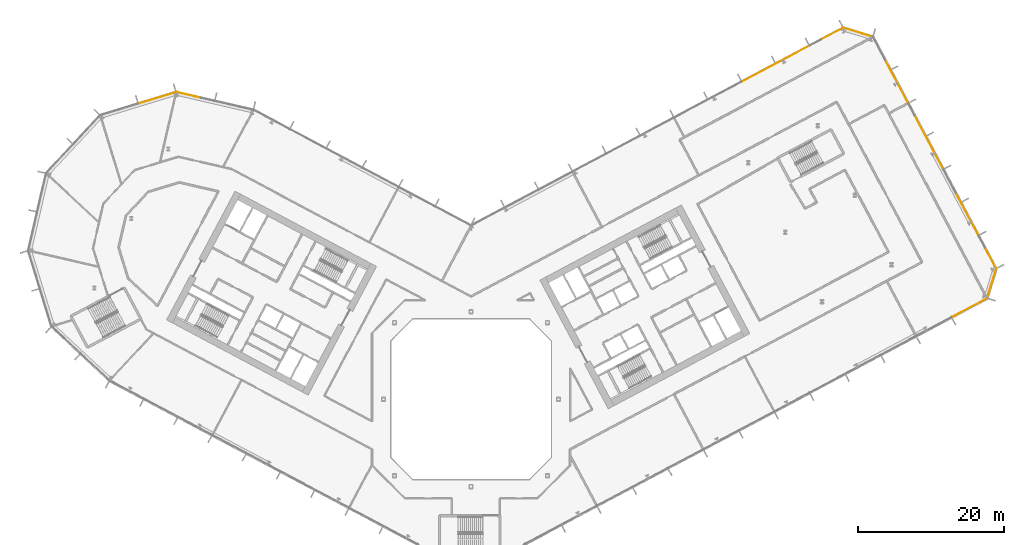
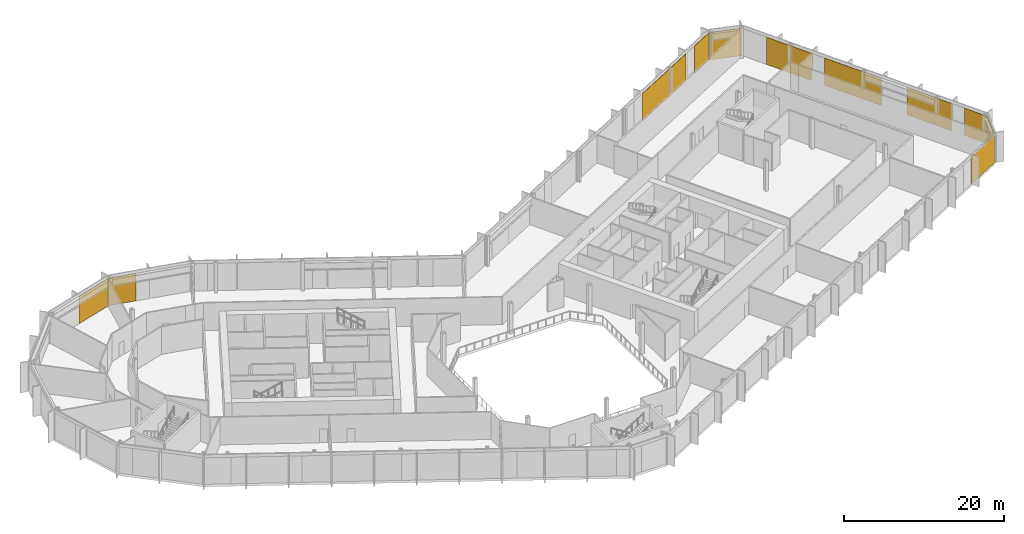
# One storey, part 30 of 30: 11 coverings, 7 elements without a shape of their own.
"""IFC4 building model written with IfcOpenShell, lengths in metres."""

from ifc_helpers import new_model, si_unit, direction, frame, origin, origin_2d, place, context, subcontext, project, spatial, rectangle, extrude, material, layer, layer_set, type_object, element, aggregate, save


model = new_model("IFC4")

# Units and contexts
model_context = context("Model", 3, precision=1e-05, world=origin(), true_north=direction((0.0, 1.0)))
body_context = subcontext(model_context, "Body", "Model", "MODEL_VIEW")
ifc_project = project(units=[si_unit("LENGTHUNIT", "METRE"), si_unit("AREAUNIT", "SQUARE_METRE"), si_unit("VOLUMEUNIT", "CUBIC_METRE"), si_unit("PLANEANGLEUNIT", "RADIAN"), si_unit("MASSUNIT", "GRAM", prefix="KILO")], contexts=[model_context])

# Site, building, storey
site_placement = place(None, origin())
site = spatial("IfcSite", under=ifc_project, at=site_placement, CompositionType="ELEMENT")
building_placement = place(site_placement, origin())
building = spatial("IfcBuilding", under=site, at=building_placement, Name="Cormorant Relay Tower", CompositionType="ELEMENT")
storey_placement = place(building_placement, frame((0.0, 0.0, 89.199951171875)))
storey = spatial("IfcBuildingStorey", under=building, at=storey_placement, Name="L17", CompositionType="ELEMENT", Elevation=89.199951171875)

# Curtain wall, covering
ifc_material_1 = material(Name="Aluminium 6063-T6 anodised bronze", Category="aluminium")
ifc_layer_1 = layer(ifc_material_1, 0.199951171875)
ifc_layer_set_1 = layer_set([ifc_layer_1], Name="CW1 unitised bronze curtain wall with vertical fins")
curtain_wall_type = type_object("IfcCurtainWallType", Name="CW1 unitised bronze curtain wall with vertical fins", PredefinedType="NOTDEFINED", material=ifc_layer_set_1)
curtain_wall_1_placement = place(storey_placement, origin())
curtain_wall_1 = element("IfcCurtainWall", 1, at=curtain_wall_1_placement, inside=storey, type_object=curtain_wall_type, Name="CW1 curtain wall 2", PredefinedType="NOTDEFINED")
ifc_material_2 = material(Name="Pale bronze anodised aluminium insulated panel", Category="aluminium")
ifc_layer_2 = layer(ifc_material_2, 0.0400390625)
ifc_layer_set_2 = layer_set([ifc_layer_2], Name="CW1 pale bronze insulated panel 40")
covering_type = type_object("IfcCoveringType", Name="CW1 pale bronze insulated panel 40", PredefinedType="CLADDING", material=ifc_layer_set_2)
covering_1_placement = place(storey_placement, frame((68.391357421875, 12.557861328125, 0.0), z_axis=(0.0, 0.0, 1.0), x_axis=(0.882947592859, 0.469471562786, 0.0)))
covering_1 = element("IfcCovering", 2, at=covering_1_placement, type_object=covering_type, Name="CW1 panel S13", PredefinedType="CLADDING", context=body_context, shape_type="SweptSolid", body=[
    extrude(rectangle(XDim=5.436767578125, YDim=0.0400390625, at=origin_2d()), origin(), (0.0, 0.0, 1.0), 4.14990234375),
])
aggregate(curtain_wall_1, [covering_1])

curtain_wall_2_placement = place(storey_placement, origin())
curtain_wall_2 = element("IfcCurtainWall", 3, at=curtain_wall_2_placement, inside=storey, type_object=curtain_wall_type, Name="CW1 curtain wall 3", PredefinedType="NOTDEFINED")
covering_2_placement = place(storey_placement, frame((71.4326171875, 15.910400390625, 0.0), z_axis=(0.0, 0.0, 1.0), x_axis=(0.292371704723, 0.956304755963, 0.0)))
covering_2 = element("IfcCovering", 4, at=covering_2_placement, type_object=covering_type, Name="CW1 panel S00", PredefinedType="CLADDING", context=body_context, shape_type="SweptSolid", body=[
    extrude(rectangle(XDim=4.16748046875, YDim=0.0400390625, at=origin_2d()), origin(), (0.0, 0.0, 1.0), 4.14990234375),
])
aggregate(curtain_wall_2, [covering_2])

# Curtain wall, coverings
curtain_wall_3_placement = place(storey_placement, origin())
curtain_wall_3 = element("IfcCurtainWall", 5, at=curtain_wall_3_placement, inside=storey, type_object=curtain_wall_type, Name="CW1 curtain wall 4", PredefinedType="NOTDEFINED")
covering_3_placement = place(storey_placement, frame((71.255615234375, 19.39404296875, 0.0), z_axis=(0.0, 0.0, 1.0), x_axis=(-0.469471562786, 0.882947592859, 0.0)))
covering_3 = element("IfcCovering", 6, at=covering_3_placement, type_object=covering_type, Name="CW1 panel S00", PredefinedType="CLADDING", context=body_context, shape_type="SweptSolid", body=[
    extrude(rectangle(XDim=3.19287109375, YDim=0.0400390625, at=origin_2d()), origin(), (0.0, 0.0, 1.0), 4.14990234375),
])
covering_4_placement = place(storey_placement, frame((68.056640625, 25.41064453125, 0.0), z_axis=(0.0, 0.0, 1.0), x_axis=(-0.469471562786, 0.882947592859, 0.0)))
covering_4 = element("IfcCovering", 7, at=covering_4_placement, type_object=covering_type, Name="CW1 panel S02", PredefinedType="CLADDING", context=body_context, shape_type="SweptSolid", body=[
    extrude(rectangle(XDim=6.53564453125, YDim=0.0400390625, at=origin_2d()), origin(), (0.0, 0.0, 1.0), 4.14990234375),
])
covering_5_placement = place(storey_placement, frame((62.80517578125, 35.287109375, 0.0), z_axis=(0.0, 0.0, 1.0), x_axis=(-0.469471562786, 0.882947592859, 0.0)))
covering_5 = element("IfcCovering", 8, at=covering_5_placement, type_object=covering_type, Name="CW1 panel S04", PredefinedType="CLADDING", context=body_context, shape_type="SweptSolid", body=[
    extrude(rectangle(XDim=8.335693359375, YDim=0.0400390625, at=origin_2d()), origin(), (0.0, 0.0, 1.0), 4.14990234375),
])
covering_6_placement = place(storey_placement, frame((58.38134765625, 43.607421875, 0.0), z_axis=(0.0, 0.0, 1.0), x_axis=(-0.469471562786, 0.882947592859, 0.0)))
covering_6 = element("IfcCovering", 9, at=covering_6_placement, type_object=covering_type, Name="CW1 panel S06", PredefinedType="CLADDING", context=body_context, shape_type="SweptSolid", body=[
    extrude(rectangle(XDim=6.610595703125, YDim=0.0400390625, at=origin_2d()), origin(), (0.0, 0.0, 1.0), 4.14990234375),
])
aggregate(curtain_wall_3, [covering_3, covering_4, covering_5, covering_6])

# Curtain wall, covering
curtain_wall_4_placement = place(storey_placement, origin())
curtain_wall_4 = element("IfcCurtainWall", 10, at=curtain_wall_4_placement, inside=storey, type_object=curtain_wall_type, Name="CW1 curtain wall 5", PredefinedType="NOTDEFINED")
covering_7_placement = place(storey_placement, frame((53.06298828125, 50.34521484375, 0.0), z_axis=(0.0, 0.0, 1.0), x_axis=(-0.956304755963, 0.292371704723, 0.0)))
covering_7 = element("IfcCovering", 11, at=covering_7_placement, type_object=covering_type, Name="CW1 panel S00", PredefinedType="CLADDING", context=body_context, shape_type="SweptSolid", body=[
    extrude(rectangle(XDim=4.16748046875, YDim=0.0400390625, at=origin_2d()), origin(), (0.0, 0.0, 1.0), 4.14990234375),
])
aggregate(curtain_wall_4, [covering_7])

# Curtain wall, coverings
curtain_wall_5_placement = place(storey_placement, origin())
curtain_wall_5 = element("IfcCurtainWall", 12, at=curtain_wall_5_placement, inside=storey, type_object=curtain_wall_type, Name="CW1 curtain wall 6", PredefinedType="NOTDEFINED")
covering_8_placement = place(storey_placement, frame((49.528564453125, 50.1416015625, 0.0), z_axis=(0.0, 0.0, 1.0), x_axis=(-0.882947592859, -0.469471562786, 0.0)))
covering_8 = element("IfcCovering", 13, at=covering_8_placement, type_object=covering_type, Name="CW1 panel S00", PredefinedType="CLADDING", context=body_context, shape_type="SweptSolid", body=[
    extrude(rectangle(XDim=3.3076171875, YDim=0.0400390625, at=origin_2d()), origin(), (0.0, 0.0, 1.0), 4.14990234375),
])
covering_9_placement = place(storey_placement, frame((41.7705078125, 46.0166015625, 0.0), z_axis=(0.0, 0.0, 1.0), x_axis=(-0.882947592859, -0.469471562786, 0.0)))
covering_9 = element("IfcCovering", 14, at=covering_9_placement, type_object=covering_type, Name="CW1 panel S02", PredefinedType="CLADDING", context=body_context, shape_type="SweptSolid", body=[
    extrude(rectangle(XDim=10.365234375, YDim=0.0400390625, at=origin_2d()), origin(), (0.0, 0.0, 1.0), 4.14990234375),
])
aggregate(curtain_wall_5, [covering_8, covering_9])

# Curtain wall, covering
curtain_wall_6_placement = place(storey_placement, origin())
curtain_wall_6 = element("IfcCurtainWall", 15, at=curtain_wall_6_placement, inside=storey, type_object=curtain_wall_type, Name="CW1 curtain wall 8", PredefinedType="NOTDEFINED")
covering_10_placement = place(storey_placement, frame((-38.7265625, 41.732421875, 0.0), z_axis=(0.0, 0.0, 1.0), x_axis=(-0.974370064785, 0.224951054344, 0.0)))
covering_10 = element("IfcCovering", 16, at=covering_10_placement, type_object=covering_type, Name="CW1 panel S02", PredefinedType="CLADDING", context=body_context, shape_type="SweptSolid", body=[
    extrude(rectangle(XDim=3.560302734375, YDim=0.0400390625, at=origin_2d()), origin(), (0.0, 0.0, 1.0), 4.14990234375),
])
aggregate(curtain_wall_6, [covering_10])

curtain_wall_7_placement = place(storey_placement, origin())
curtain_wall_7 = element("IfcCurtainWall", 17, at=curtain_wall_7_placement, inside=storey, type_object=curtain_wall_type, Name="CW1 curtain wall 9", PredefinedType="NOTDEFINED")
covering_11_placement = place(storey_placement, frame((-43.0703125, 41.337890625, 0.0), z_axis=(0.0, 0.0, 1.0), x_axis=(-0.956304755963, -0.292371704723, 0.0)))
covering_11 = element("IfcCovering", 18, at=covering_11_placement, type_object=covering_type, Name="CW1 panel S00", PredefinedType="CLADDING", context=body_context, shape_type="SweptSolid", body=[
    extrude(rectangle(XDim=5.28515625, YDim=0.0400390625, at=origin_2d()), origin(), (0.0, 0.0, 1.0), 4.14990234375),
])
aggregate(curtain_wall_7, [covering_11])

save(model, "model.ifc")
